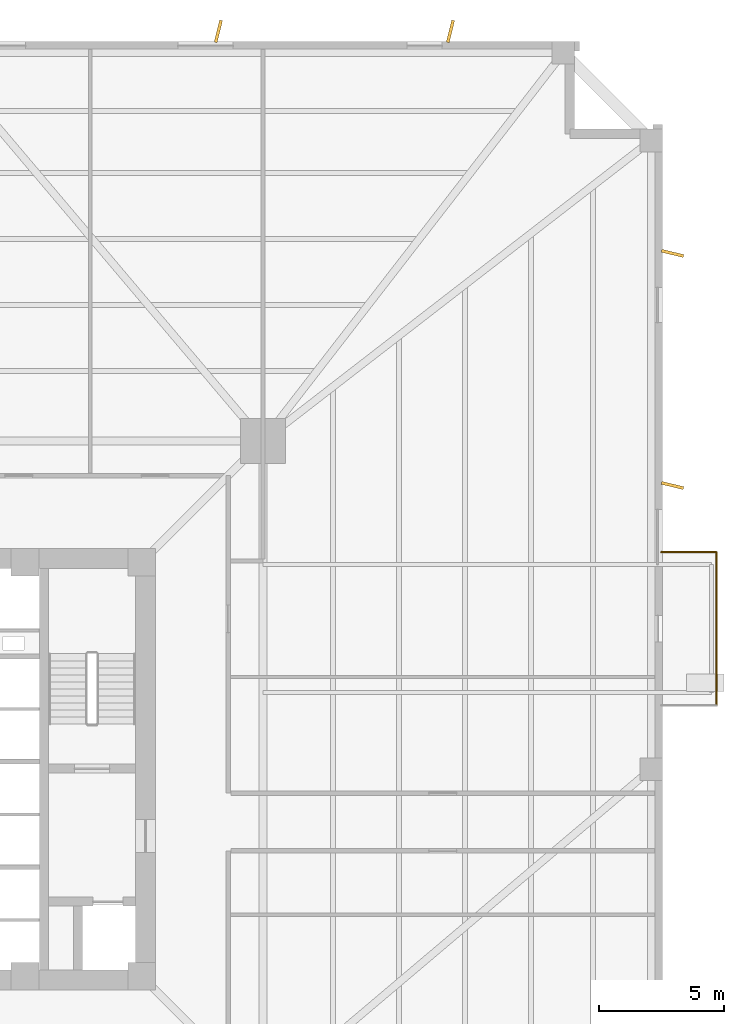
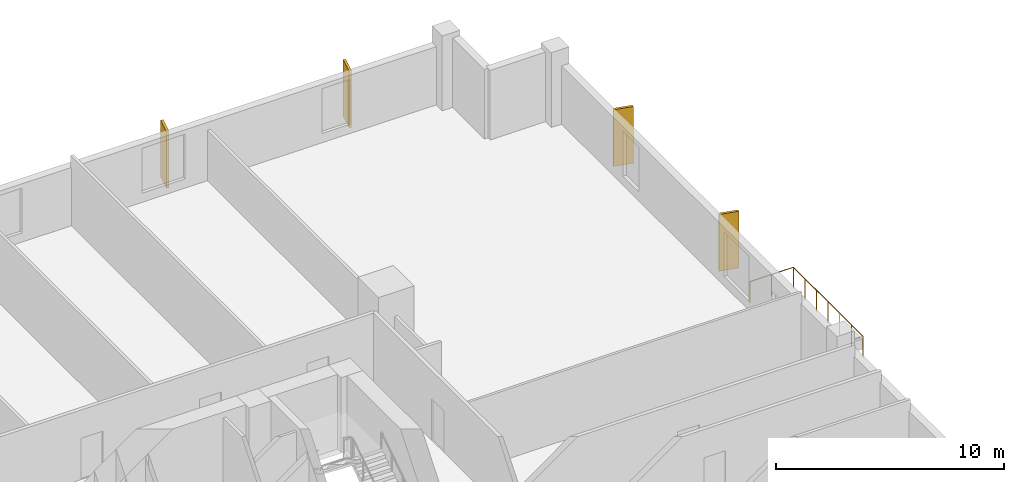
# One storey, part 8 of 8: 4 coverings, 2 railings.
"""IFC4 building model written with IfcOpenShell, lengths in metres."""

from ifc_helpers import new_model, si_unit, direction, frame, origin, origin_2d, place, context, subcontext, project, spatial, rectangle, circle, extrude, source, transform, mapped, material, layer, layer_set, type_object, element, save


model = new_model("IFC4")

# Units and contexts
model_context = context("Model", 3, precision=1e-05, world=origin(), true_north=direction((0.0, 1.0)))
body_context = subcontext(model_context, "Body", "Model", "MODEL_VIEW")
ifc_project = project(units=[si_unit("LENGTHUNIT", "METRE"), si_unit("AREAUNIT", "SQUARE_METRE"), si_unit("VOLUMEUNIT", "CUBIC_METRE"), si_unit("PLANEANGLEUNIT", "RADIAN"), si_unit("MASSUNIT", "GRAM", prefix="KILO"), si_unit("THERMODYNAMICTEMPERATUREUNIT", "KELVIN")], contexts=[model_context])

# Site, building, storey
site_placement = place(None, origin())
site = spatial("IfcSite", under=ifc_project, at=site_placement, CompositionType="ELEMENT")
building_placement = place(site_placement, origin())
building = spatial("IfcBuilding", under=site, at=building_placement, Name="Kosmvard Interchange Tower", CompositionType="ELEMENT")
storey_placement = place(building_placement, frame((0.0, 0.0, 46.0)))
storey = spatial("IfcBuildingStorey", under=building, at=storey_placement, Name="L10", CompositionType="ELEMENT", Elevation=46.0)

# Coverings
ifc_material_1 = material(Name="Architectural anodised aluminium", Category="aluminium")
ifc_layer = layer(ifc_material_1, 0.1201171875, Name="Architectural anodised aluminium")
ifc_layer_set = layer_set([ifc_layer], Name="Architectural anodised aluminium")
covering_type = type_object("IfcCoveringType", Name="Rotating Vertical Sun-Breaker Fin 900x120 Aluminium", PredefinedType="CLADDING", material=ifc_layer_set)
shared_shape_1 = source(origin(), body_context, "Body", "SweptSolid", [
    extrude(rectangle(XDim=0.89990234375, YDim=0.1201171875, at=origin_2d()), origin(), (0.0, 0.0, 1.0), 3.0400390625),
])
for number, where, z_axis, x_axis, name in (
    (1, (29.39990234375, 11.3037109375, 0.0400390625), (0.0, 0.0, 1.0), (0.971342069813, -0.237685892326, 0.0), "L10 Rotating Vertical Sun-Breaker Fin 07"),
    (2, (29.39990234375, 20.552001953125, 0.0400390625), (0.0, 0.0, 1.0), (0.971342069813, -0.237685892326, 0.0), "L10 Rotating Vertical Sun-Breaker Fin 08"),
    (3, (20.552001953125, 29.39990234375, 0.0400390625), (0.0, 0.0, 1.0), (0.237685892326, 0.971342069813, 0.0), "L10 Rotating Vertical Sun-Breaker Fin 09"),
    (4, (11.3037109375, 29.39990234375, 0.0400390625), (0.0, 0.0, 1.0), (0.237685892326, 0.971342069813, 0.0), "L10 Rotating Vertical Sun-Breaker Fin 10"),
):
    element("IfcCovering", number, at=place(storey_placement, frame(where, z_axis=z_axis, x_axis=x_axis)), inside=storey, type_object=covering_type, Name=name, PredefinedType="CLADDING", context=body_context, shape_type="MappedRepresentation", body=[
        mapped(shared_shape_1, transform((0.0, 0.0, 0.0), scale=1.0)),
    ])

# Railings
ifc_material_2 = material(Name="Steel S355", Category="steel")
railing_type = type_object("IfcRailingType", Name="Observation & Balcony Glass-Infill Balustrade 1150", PredefinedType="BALUSTRADE", material=ifc_material_2)
shared_shape_2 = source(origin(), body_context, "Body", "SweptSolid", [
    extrude(circle(Radius=0.02392578125, at=origin_2d()), frame((0.0, 0.0, 1.1259765625), z_axis=(0.0, 1.0, 0.0), x_axis=(-1.0, 0.0, 0.0)), (0.0, 0.0, 1.0), 6.099853515625),
    extrude(circle(Radius=0.02099609375, at=origin_2d()), origin(), (0.0, 0.0, 1.0), 1.101806640625),
    extrude(circle(Radius=0.02099609375, at=origin_2d()), frame((0.0, 1.0166015625, 0.0)), (0.0, 0.0, 1.0), 1.101806640625),
    extrude(circle(Radius=0.02099609375, at=origin_2d()), frame((0.0, 2.033203125, 0.0)), (0.0, 0.0, 1.0), 1.101806640625),
    extrude(circle(Radius=0.02099609375, at=origin_2d()), frame((0.0, 3.0498046875, 0.0)), (0.0, 0.0, 1.0), 1.101806640625),
    extrude(circle(Radius=0.02099609375, at=origin_2d()), frame((0.0, 4.066650390625, 0.0)), (0.0, 0.0, 1.0), 1.101806640625),
    extrude(circle(Radius=0.02099609375, at=origin_2d()), frame((0.0, 5.083251953125, 0.0)), (0.0, 0.0, 1.0), 1.101806640625),
    extrude(circle(Radius=0.02099609375, at=origin_2d()), frame((0.0, 6.099853515625, 0.0)), (0.0, 0.0, 1.0), 1.101806640625),
])
railing_1_placement = place(storey_placement, frame((31.14990234375, 2.550048828125, 0.0)))
element("IfcRailing", 5, at=railing_1_placement, inside=storey, type_object=railing_type, Name="L10 Outdoor Terrace Guard BAL-L10-E-B", PredefinedType="BALUSTRADE", context=body_context, shape_type="MappedRepresentation", body=[
    mapped(shared_shape_2, transform((0.0, 0.0, 0.0), scale=1.0)),
])
shared_shape_3 = source(origin(), body_context, "Body", "SweptSolid", [
    extrude(circle(Radius=0.02392578125, at=origin_2d()), frame((0.0, 0.0, 1.1259765625), z_axis=(-1.0, 0.0, 0.0), x_axis=(0.0, -1.0, 0.0)), (0.0, 0.0, 1.0), 2.199951171875),
    extrude(circle(Radius=0.02099609375, at=origin_2d()), origin(), (0.0, 0.0, 1.0), 1.101806640625),
    extrude(circle(Radius=0.02099609375, at=origin_2d()), frame((-1.10009765625, 0.0, 0.0)), (0.0, 0.0, 1.0), 1.101806640625),
    extrude(circle(Radius=0.02099609375, at=origin_2d()), frame((-2.199951171875, 0.0, 0.0)), (0.0, 0.0, 1.0), 1.101806640625),
])
railing_2_placement = place(storey_placement, frame((31.14990234375, 8.64990234375, 0.0)))
element("IfcRailing", 6, at=railing_2_placement, inside=storey, type_object=railing_type, Name="L10 Outdoor Terrace Guard BAL-L10-E-C", PredefinedType="BALUSTRADE", context=body_context, shape_type="MappedRepresentation", body=[
    mapped(shared_shape_3, transform((0.0, 0.0, 0.0), scale=1.0)),
])

save(model, "model.ifc")
